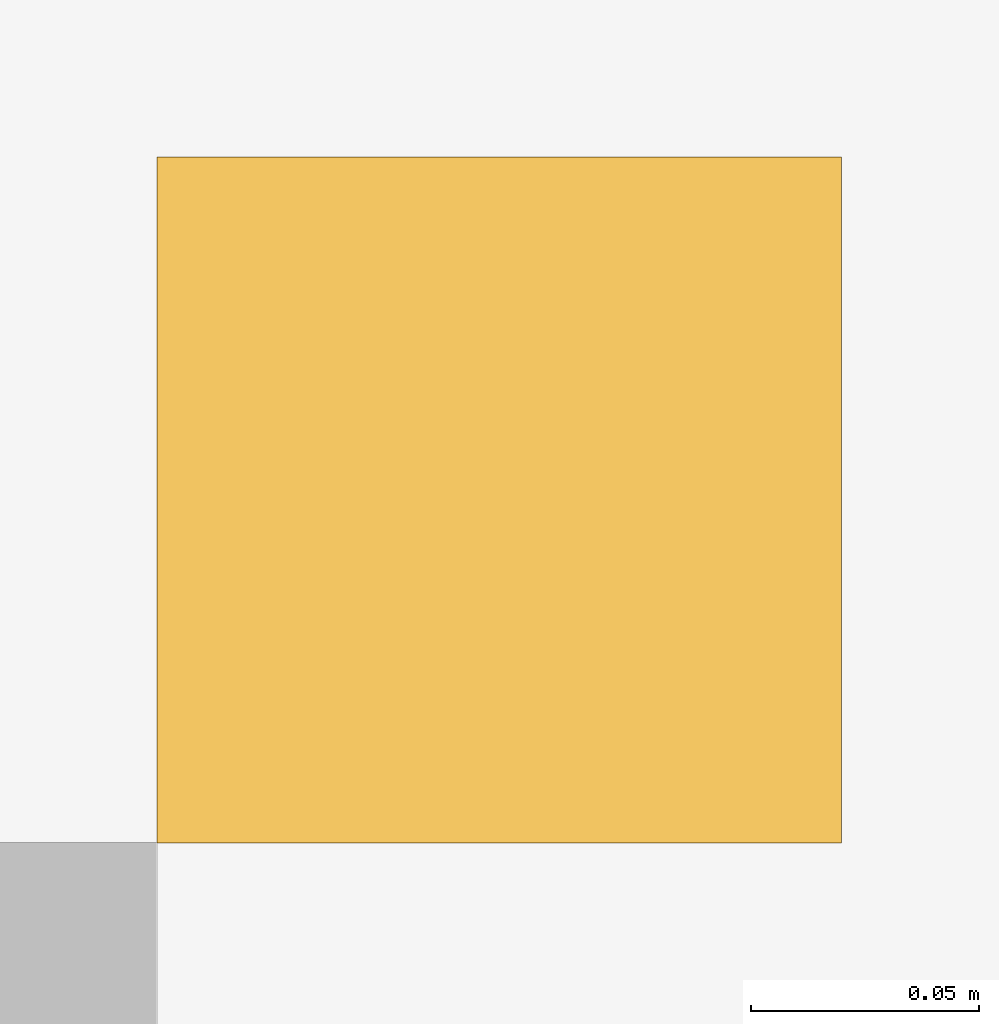
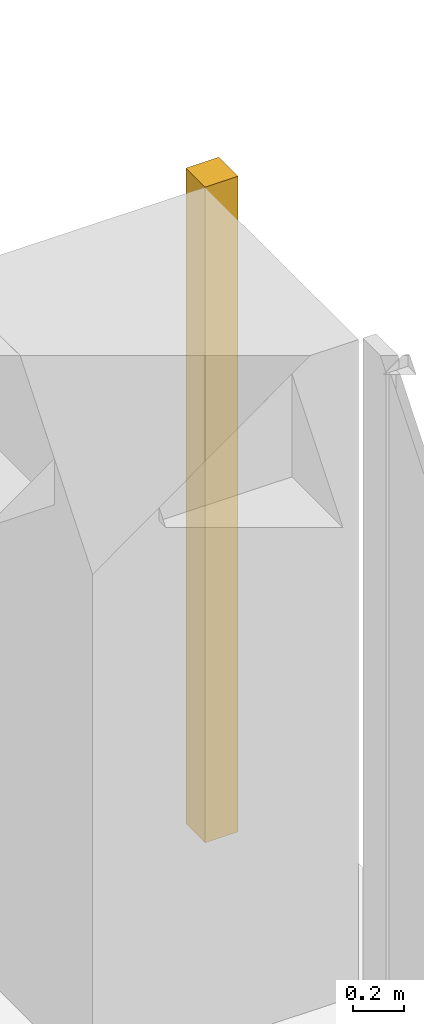
# One storey, part 18 of 18: 1 covering.
"""IFC4 building model written with IfcOpenShell, lengths in metres."""

from ifc_helpers import new_model, si_unit, direction, frame, origin, place, context, subcontext, project, spatial, polyline, outline, extrude, material, type_object, element, save


model = new_model("IFC4")

# Units and contexts
model_context = context("Model", 3, precision=1e-05, world=origin(), true_north=direction((0.0, 1.0)))
body_context = subcontext(model_context, "Body", "Model", "MODEL_VIEW")
ifc_project = project(units=[si_unit("LENGTHUNIT", "METRE"), si_unit("AREAUNIT", "SQUARE_METRE"), si_unit("VOLUMEUNIT", "CUBIC_METRE"), si_unit("PLANEANGLEUNIT", "RADIAN"), si_unit("MASSUNIT", "GRAM", prefix="KILO")], contexts=[model_context])

# Site, building, storey
site_placement = place(None, origin())
site = spatial("IfcSite", under=ifc_project, at=site_placement, CompositionType="ELEMENT")
building_placement = place(site_placement, origin())
building = spatial("IfcBuilding", under=site, at=building_placement, Name="Vermilion Ogive Tower", CompositionType="ELEMENT")
storey_placement = place(building_placement, frame((0.0, 0.0, 94.199951171875)))
storey = spatial("IfcBuildingStorey", under=building, at=storey_placement, Name="L23", CompositionType="ELEMENT", Elevation=94.199951171875)

# Covering
ifc_material = material(Name="Stone cladding", Category="masonry")
covering_type = type_object("IfcCoveringType", Name="Stone pier", PredefinedType="CLADDING", material=ifc_material)
covering_placement = place(storey_placement, origin())
element("IfcCovering", 1, at=covering_placement, inside=storey, type_object=covering_type, Name="Stone corner pier EE1", PredefinedType="CLADDING", context=body_context, shape_type="SweptSolid", body=[
    extrude(outline(polyline([(25.949951171875, 13.199951171875), (25.800048828125, 13.199951171875), (25.800048828125, 13.35009765625), (25.949951171875, 13.35009765625), (25.949951171875, 13.199951171875)])), origin(), (0.0, 0.0, 1.0), 3.130126953125),
])

save(model, "model.ifc")
